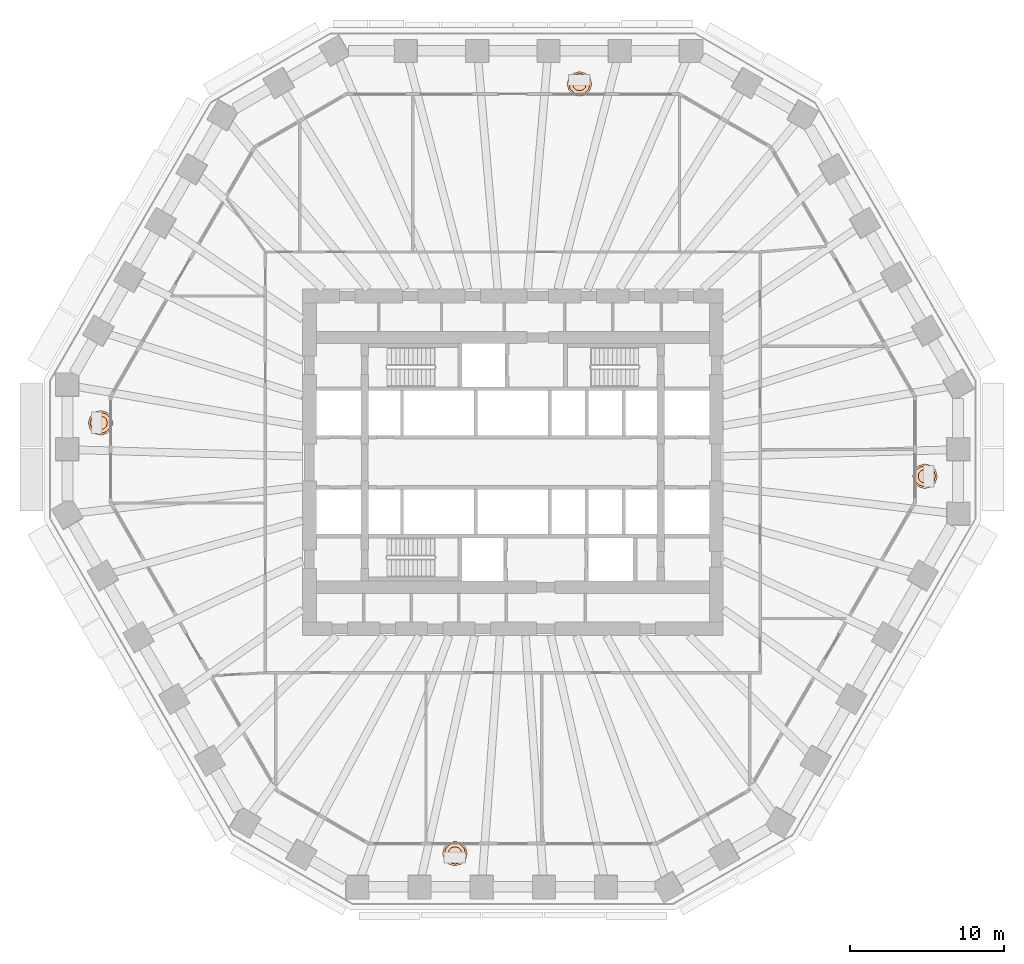
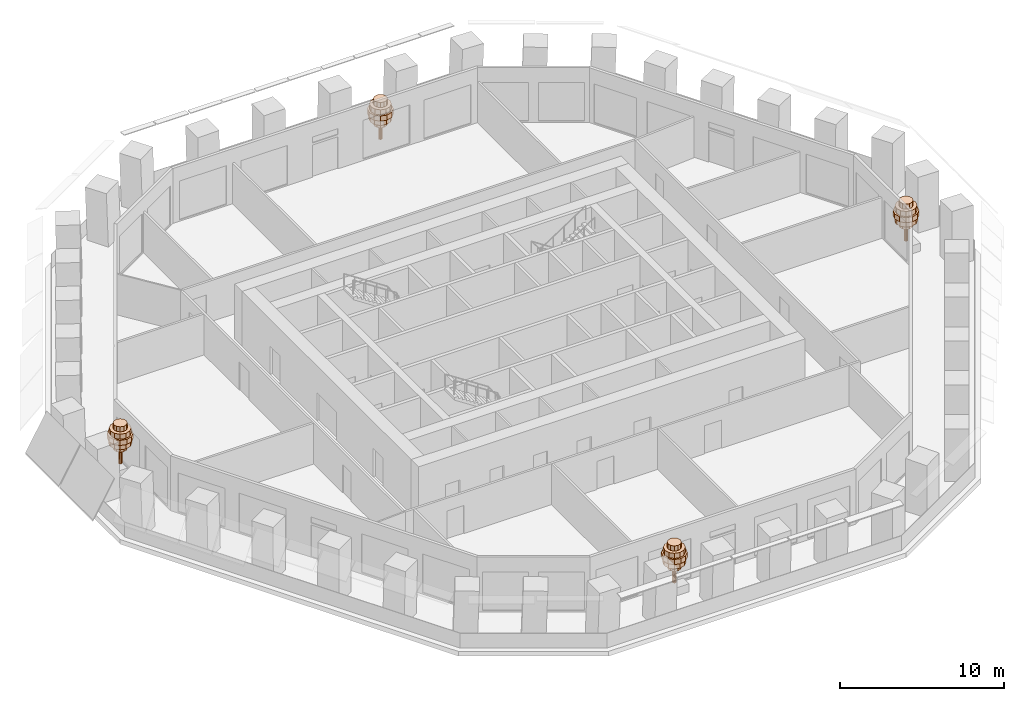
# One storey, part 12 of 12: 4 geographic elements.
"""IFC4 building model written with IfcOpenShell, lengths in metres."""

from ifc_helpers import new_model, si_unit, direction, frame, origin, place, context, subcontext, project, spatial, polyline, outline, extrude, material, type_object, element, save


model = new_model("IFC4")

# Units and contexts
model_context = context("Model", 3, precision=1e-05, world=origin(), true_north=direction((0.0, 1.0)))
body_context = subcontext(model_context, "Body", "Model", "MODEL_VIEW")
ifc_project = project(units=[si_unit("LENGTHUNIT", "METRE"), si_unit("AREAUNIT", "SQUARE_METRE"), si_unit("VOLUMEUNIT", "CUBIC_METRE"), si_unit("PLANEANGLEUNIT", "RADIAN"), si_unit("MASSUNIT", "GRAM", prefix="KILO")], contexts=[model_context])

# Site, building, storey
site_placement = place(None, origin())
site = spatial("IfcSite", under=ifc_project, at=site_placement, CompositionType="ELEMENT")
building_placement = place(site_placement, origin())
building = spatial("IfcBuilding", under=site, at=building_placement, Name="Frailejon Research Tower", CompositionType="ELEMENT")
storey_placement = place(building_placement, frame((0.0, 0.0, 41.0)))
storey = spatial("IfcBuildingStorey", under=building, at=storey_placement, Name="L09", CompositionType="ELEMENT", Elevation=41.0)

# Geographic elements
ifc_material = material(Name="Foliage, green")
geographic_element_type = type_object("IfcGeographicElementType", Name="Frailejon tree, loggia", PredefinedType="USERDEFINED", material=ifc_material)
geographic_element_1_placement = place(storey_placement, frame((26.74169921875, -0.90234375, 0.60009765625)))
element("IfcGeographicElement", 1, at=geographic_element_1_placement, inside=storey, type_object=geographic_element_type, Name="Tree L09", ObjectType="TREE", PredefinedType="USERDEFINED", context=body_context, shape_type="SweptSolid", body=[
    extrude(outline(polyline([(0.1298828125, 0.0), (0.112548828125, 0.06494140625), (0.06494140625, 0.112548828125), (0.0, 0.1298828125), (-0.06494140625, 0.112548828125), (-0.112548828125, 0.06494140625), (-0.1298828125, 0.0), (-0.112548828125, -0.06494140625), (-0.06494140625, -0.112548828125), (0.0, -0.1298828125), (0.06494140625, -0.112548828125), (0.112548828125, -0.06494140625), (0.1298828125, 0.0)])), origin(), (0.0, 0.0, 1.0), 2.239990234375),
    extrude(outline(polyline([(0.43994140625, 0.0), (0.381103515625, 0.219970703125), (0.219970703125, 0.381103515625), (0.0, 0.43994140625), (-0.219970703125, 0.381103515625), (-0.381103515625, 0.219970703125), (-0.43994140625, 0.0), (-0.381103515625, -0.219970703125), (-0.219970703125, -0.381103515625), (0.0, -0.43994140625), (0.219970703125, -0.381103515625), (0.381103515625, -0.219970703125), (0.43994140625, 0.0)])), frame((0.0, 0.0, 1.10009765625)), (0.0, 0.0, 1.0), 0.3798828125),
    extrude(outline(polyline([(0.719970703125, 0.0), (0.62353515625, 0.360107421875), (0.360107421875, 0.62353515625), (0.0, 0.719970703125), (-0.360107421875, 0.62353515625), (-0.62353515625, 0.360107421875), (-0.719970703125, 0.0), (-0.62353515625, -0.360107421875), (-0.360107421875, -0.62353515625), (0.0, -0.719970703125), (0.360107421875, -0.62353515625), (0.62353515625, -0.360107421875), (0.719970703125, 0.0)])), frame((0.0, 0.0, 1.47998046875)), (0.0, 0.0, 1.0), 0.3798828125),
    extrude(outline(polyline([(0.800048828125, 0.0), (0.69287109375, 0.39990234375), (0.39990234375, 0.69287109375), (0.0, 0.800048828125), (-0.39990234375, 0.69287109375), (-0.69287109375, 0.39990234375), (-0.800048828125, 0.0), (-0.69287109375, -0.39990234375), (-0.39990234375, -0.69287109375), (0.0, -0.800048828125), (0.39990234375, -0.69287109375), (0.69287109375, -0.39990234375), (0.800048828125, 0.0)])), frame((0.0, 0.0, 1.860107421875)), (0.0, 0.0, 1.0), 0.3798828125),
    extrude(outline(polyline([(0.679931640625, 0.0), (0.5888671875, 0.340087890625), (0.340087890625, 0.5888671875), (0.0, 0.679931640625), (-0.340087890625, 0.5888671875), (-0.5888671875, 0.340087890625), (-0.679931640625, 0.0), (-0.5888671875, -0.340087890625), (-0.340087890625, -0.5888671875), (0.0, -0.679931640625), (0.340087890625, -0.5888671875), (0.5888671875, -0.340087890625), (0.679931640625, 0.0)])), frame((0.0, 0.0, 2.239990234375)), (0.0, 0.0, 1.0), 0.3798828125),
    extrude(outline(polyline([(0.43994140625, 0.0), (0.381103515625, 0.219970703125), (0.219970703125, 0.381103515625), (0.0, 0.43994140625), (-0.219970703125, 0.381103515625), (-0.381103515625, 0.219970703125), (-0.43994140625, 0.0), (-0.381103515625, -0.219970703125), (-0.219970703125, -0.381103515625), (0.0, -0.43994140625), (0.219970703125, -0.381103515625), (0.381103515625, -0.219970703125), (0.43994140625, 0.0)])), frame((0.0, 0.0, 2.6201171875)), (0.0, 0.0, 1.0), 0.3798828125),
])
geographic_element_2_placement = place(storey_placement, frame((4.32568359375, 24.550048828125, 0.60009765625)))
element("IfcGeographicElement", 2, at=geographic_element_2_placement, inside=storey, type_object=geographic_element_type, Name="Tree L09", ObjectType="TREE", PredefinedType="USERDEFINED", context=body_context, shape_type="SweptSolid", body=[
    extrude(outline(polyline([(0.1298828125, 0.0), (0.112548828125, 0.06494140625), (0.06494140625, 0.112548828125), (0.0, 0.1298828125), (-0.06494140625, 0.112548828125), (-0.112548828125, 0.06494140625), (-0.1298828125, 0.0), (-0.112548828125, -0.06494140625), (-0.06494140625, -0.112548828125), (0.0, -0.1298828125), (0.06494140625, -0.112548828125), (0.112548828125, -0.06494140625), (0.1298828125, 0.0)])), origin(), (0.0, 0.0, 1.0), 2.239990234375),
    extrude(outline(polyline([(0.43994140625, 0.0), (0.381103515625, 0.219970703125), (0.219970703125, 0.381103515625), (0.0, 0.43994140625), (-0.219970703125, 0.381103515625), (-0.381103515625, 0.219970703125), (-0.43994140625, 0.0), (-0.381103515625, -0.219970703125), (-0.219970703125, -0.381103515625), (0.0, -0.43994140625), (0.219970703125, -0.381103515625), (0.381103515625, -0.219970703125), (0.43994140625, 0.0)])), frame((0.0, 0.0, 1.10009765625)), (0.0, 0.0, 1.0), 0.3798828125),
    extrude(outline(polyline([(0.719970703125, 0.0), (0.62353515625, 0.360107421875), (0.360107421875, 0.62353515625), (0.0, 0.719970703125), (-0.360107421875, 0.62353515625), (-0.62353515625, 0.360107421875), (-0.719970703125, 0.0), (-0.62353515625, -0.360107421875), (-0.360107421875, -0.62353515625), (0.0, -0.719970703125), (0.360107421875, -0.62353515625), (0.62353515625, -0.360107421875), (0.719970703125, 0.0)])), frame((0.0, 0.0, 1.47998046875)), (0.0, 0.0, 1.0), 0.3798828125),
    extrude(outline(polyline([(0.800048828125, 0.0), (0.69287109375, 0.39990234375), (0.39990234375, 0.69287109375), (0.0, 0.800048828125), (-0.39990234375, 0.69287109375), (-0.69287109375, 0.39990234375), (-0.800048828125, 0.0), (-0.69287109375, -0.39990234375), (-0.39990234375, -0.69287109375), (0.0, -0.800048828125), (0.39990234375, -0.69287109375), (0.69287109375, -0.39990234375), (0.800048828125, 0.0)])), frame((0.0, 0.0, 1.860107421875)), (0.0, 0.0, 1.0), 0.3798828125),
    extrude(outline(polyline([(0.679931640625, 0.0), (0.5888671875, 0.340087890625), (0.340087890625, 0.5888671875), (0.0, 0.679931640625), (-0.340087890625, 0.5888671875), (-0.5888671875, 0.340087890625), (-0.679931640625, 0.0), (-0.5888671875, -0.340087890625), (-0.340087890625, -0.5888671875), (0.0, -0.679931640625), (0.340087890625, -0.5888671875), (0.5888671875, -0.340087890625), (0.679931640625, 0.0)])), frame((0.0, 0.0, 2.239990234375)), (0.0, 0.0, 1.0), 0.3798828125),
    extrude(outline(polyline([(0.43994140625, 0.0), (0.381103515625, 0.219970703125), (0.219970703125, 0.381103515625), (0.0, 0.43994140625), (-0.219970703125, 0.381103515625), (-0.381103515625, 0.219970703125), (-0.43994140625, 0.0), (-0.381103515625, -0.219970703125), (-0.219970703125, -0.381103515625), (0.0, -0.43994140625), (0.219970703125, -0.381103515625), (0.381103515625, -0.219970703125), (0.43994140625, 0.0)])), frame((0.0, 0.0, 2.6201171875)), (0.0, 0.0, 1.0), 0.3798828125),
])
geographic_element_3_placement = place(storey_placement, frame((-26.74169921875, 2.561767578125, 0.60009765625)))
element("IfcGeographicElement", 3, at=geographic_element_3_placement, inside=storey, type_object=geographic_element_type, Name="Tree L09", ObjectType="TREE", PredefinedType="USERDEFINED", context=body_context, shape_type="SweptSolid", body=[
    extrude(outline(polyline([(0.1298828125, 0.0), (0.112548828125, 0.06494140625), (0.06494140625, 0.112548828125), (0.0, 0.1298828125), (-0.06494140625, 0.112548828125), (-0.112548828125, 0.06494140625), (-0.1298828125, 0.0), (-0.112548828125, -0.06494140625), (-0.06494140625, -0.112548828125), (0.0, -0.1298828125), (0.06494140625, -0.112548828125), (0.112548828125, -0.06494140625), (0.1298828125, 0.0)])), origin(), (0.0, 0.0, 1.0), 2.239990234375),
    extrude(outline(polyline([(0.43994140625, 0.0), (0.381103515625, 0.219970703125), (0.219970703125, 0.381103515625), (0.0, 0.43994140625), (-0.219970703125, 0.381103515625), (-0.381103515625, 0.219970703125), (-0.43994140625, 0.0), (-0.381103515625, -0.219970703125), (-0.219970703125, -0.381103515625), (0.0, -0.43994140625), (0.219970703125, -0.381103515625), (0.381103515625, -0.219970703125), (0.43994140625, 0.0)])), frame((0.0, 0.0, 1.10009765625)), (0.0, 0.0, 1.0), 0.3798828125),
    extrude(outline(polyline([(0.719970703125, 0.0), (0.62353515625, 0.360107421875), (0.360107421875, 0.62353515625), (0.0, 0.719970703125), (-0.360107421875, 0.62353515625), (-0.62353515625, 0.360107421875), (-0.719970703125, 0.0), (-0.62353515625, -0.360107421875), (-0.360107421875, -0.62353515625), (0.0, -0.719970703125), (0.360107421875, -0.62353515625), (0.62353515625, -0.360107421875), (0.719970703125, 0.0)])), frame((0.0, 0.0, 1.47998046875)), (0.0, 0.0, 1.0), 0.3798828125),
    extrude(outline(polyline([(0.800048828125, 0.0), (0.69287109375, 0.39990234375), (0.39990234375, 0.69287109375), (0.0, 0.800048828125), (-0.39990234375, 0.69287109375), (-0.69287109375, 0.39990234375), (-0.800048828125, 0.0), (-0.69287109375, -0.39990234375), (-0.39990234375, -0.69287109375), (0.0, -0.800048828125), (0.39990234375, -0.69287109375), (0.69287109375, -0.39990234375), (0.800048828125, 0.0)])), frame((0.0, 0.0, 1.860107421875)), (0.0, 0.0, 1.0), 0.3798828125),
    extrude(outline(polyline([(0.679931640625, 0.0), (0.5888671875, 0.340087890625), (0.340087890625, 0.5888671875), (0.0, 0.679931640625), (-0.340087890625, 0.5888671875), (-0.5888671875, 0.340087890625), (-0.679931640625, 0.0), (-0.5888671875, -0.340087890625), (-0.340087890625, -0.5888671875), (0.0, -0.679931640625), (0.340087890625, -0.5888671875), (0.5888671875, -0.340087890625), (0.679931640625, 0.0)])), frame((0.0, 0.0, 2.239990234375)), (0.0, 0.0, 1.0), 0.3798828125),
    extrude(outline(polyline([(0.43994140625, 0.0), (0.381103515625, 0.219970703125), (0.219970703125, 0.381103515625), (0.0, 0.43994140625), (-0.219970703125, 0.381103515625), (-0.381103515625, 0.219970703125), (-0.43994140625, 0.0), (-0.381103515625, -0.219970703125), (-0.219970703125, -0.381103515625), (0.0, -0.43994140625), (0.219970703125, -0.381103515625), (0.381103515625, -0.219970703125), (0.43994140625, 0.0)])), frame((0.0, 0.0, 2.6201171875)), (0.0, 0.0, 1.0), 0.3798828125),
])
geographic_element_4_placement = place(storey_placement, frame((-3.7509765625, -25.379638671875, 0.60009765625)))
element("IfcGeographicElement", 4, at=geographic_element_4_placement, inside=storey, type_object=geographic_element_type, Name="Tree L09", ObjectType="TREE", PredefinedType="USERDEFINED", context=body_context, shape_type="SweptSolid", body=[
    extrude(outline(polyline([(0.1298828125, 0.0), (0.112548828125, 0.06494140625), (0.06494140625, 0.112548828125), (0.0, 0.1298828125), (-0.06494140625, 0.112548828125), (-0.112548828125, 0.06494140625), (-0.1298828125, 0.0), (-0.112548828125, -0.06494140625), (-0.06494140625, -0.112548828125), (0.0, -0.1298828125), (0.06494140625, -0.112548828125), (0.112548828125, -0.06494140625), (0.1298828125, 0.0)])), origin(), (0.0, 0.0, 1.0), 2.239990234375),
    extrude(outline(polyline([(0.43994140625, 0.0), (0.381103515625, 0.219970703125), (0.219970703125, 0.381103515625), (0.0, 0.43994140625), (-0.219970703125, 0.381103515625), (-0.381103515625, 0.219970703125), (-0.43994140625, 0.0), (-0.381103515625, -0.219970703125), (-0.219970703125, -0.381103515625), (0.0, -0.43994140625), (0.219970703125, -0.381103515625), (0.381103515625, -0.219970703125), (0.43994140625, 0.0)])), frame((0.0, 0.0, 1.10009765625)), (0.0, 0.0, 1.0), 0.3798828125),
    extrude(outline(polyline([(0.719970703125, 0.0), (0.62353515625, 0.360107421875), (0.360107421875, 0.62353515625), (0.0, 0.719970703125), (-0.360107421875, 0.62353515625), (-0.62353515625, 0.360107421875), (-0.719970703125, 0.0), (-0.62353515625, -0.360107421875), (-0.360107421875, -0.62353515625), (0.0, -0.719970703125), (0.360107421875, -0.62353515625), (0.62353515625, -0.360107421875), (0.719970703125, 0.0)])), frame((0.0, 0.0, 1.47998046875)), (0.0, 0.0, 1.0), 0.3798828125),
    extrude(outline(polyline([(0.800048828125, 0.0), (0.69287109375, 0.39990234375), (0.39990234375, 0.69287109375), (0.0, 0.800048828125), (-0.39990234375, 0.69287109375), (-0.69287109375, 0.39990234375), (-0.800048828125, 0.0), (-0.69287109375, -0.39990234375), (-0.39990234375, -0.69287109375), (0.0, -0.800048828125), (0.39990234375, -0.69287109375), (0.69287109375, -0.39990234375), (0.800048828125, 0.0)])), frame((0.0, 0.0, 1.860107421875)), (0.0, 0.0, 1.0), 0.3798828125),
    extrude(outline(polyline([(0.679931640625, 0.0), (0.5888671875, 0.340087890625), (0.340087890625, 0.5888671875), (0.0, 0.679931640625), (-0.340087890625, 0.5888671875), (-0.5888671875, 0.340087890625), (-0.679931640625, 0.0), (-0.5888671875, -0.340087890625), (-0.340087890625, -0.5888671875), (0.0, -0.679931640625), (0.340087890625, -0.5888671875), (0.5888671875, -0.340087890625), (0.679931640625, 0.0)])), frame((0.0, 0.0, 2.239990234375)), (0.0, 0.0, 1.0), 0.3798828125),
    extrude(outline(polyline([(0.43994140625, 0.0), (0.381103515625, 0.219970703125), (0.219970703125, 0.381103515625), (0.0, 0.43994140625), (-0.219970703125, 0.381103515625), (-0.381103515625, 0.219970703125), (-0.43994140625, 0.0), (-0.381103515625, -0.219970703125), (-0.219970703125, -0.381103515625), (0.0, -0.43994140625), (0.219970703125, -0.381103515625), (0.381103515625, -0.219970703125), (0.43994140625, 0.0)])), frame((0.0, 0.0, 2.6201171875)), (0.0, 0.0, 1.0), 0.3798828125),
])

save(model, "model.ifc")
